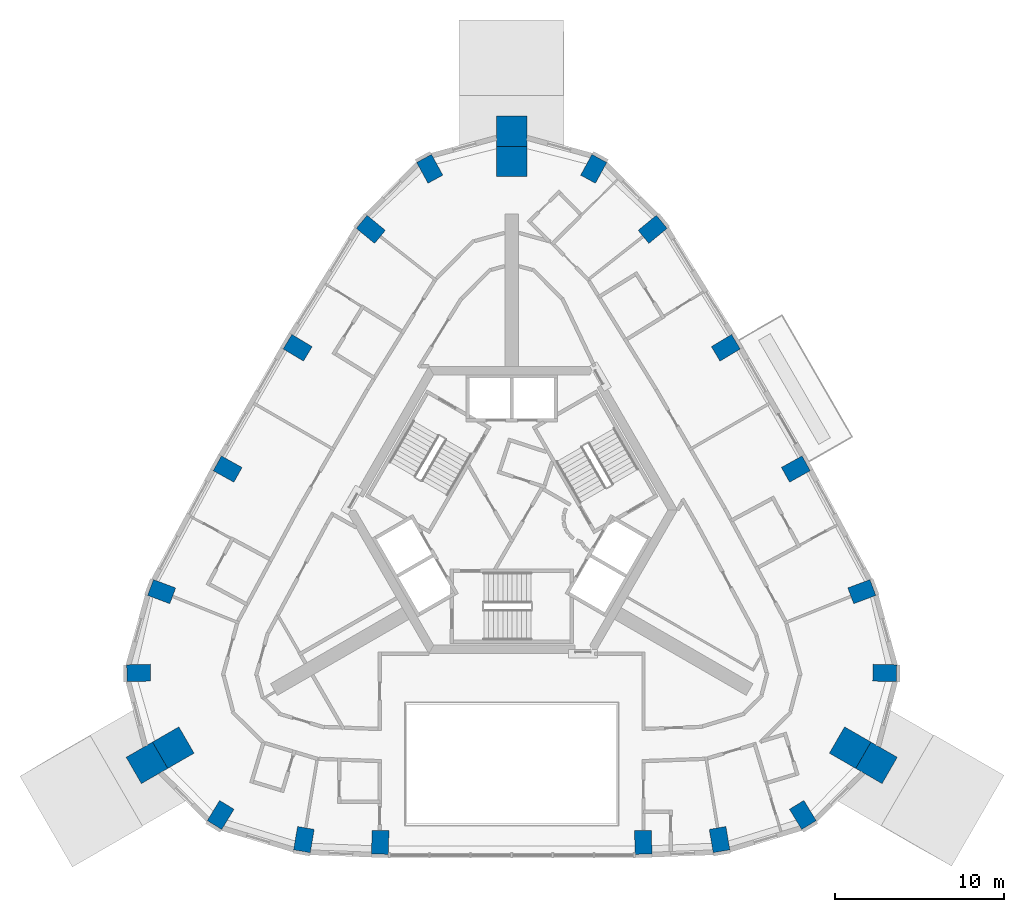
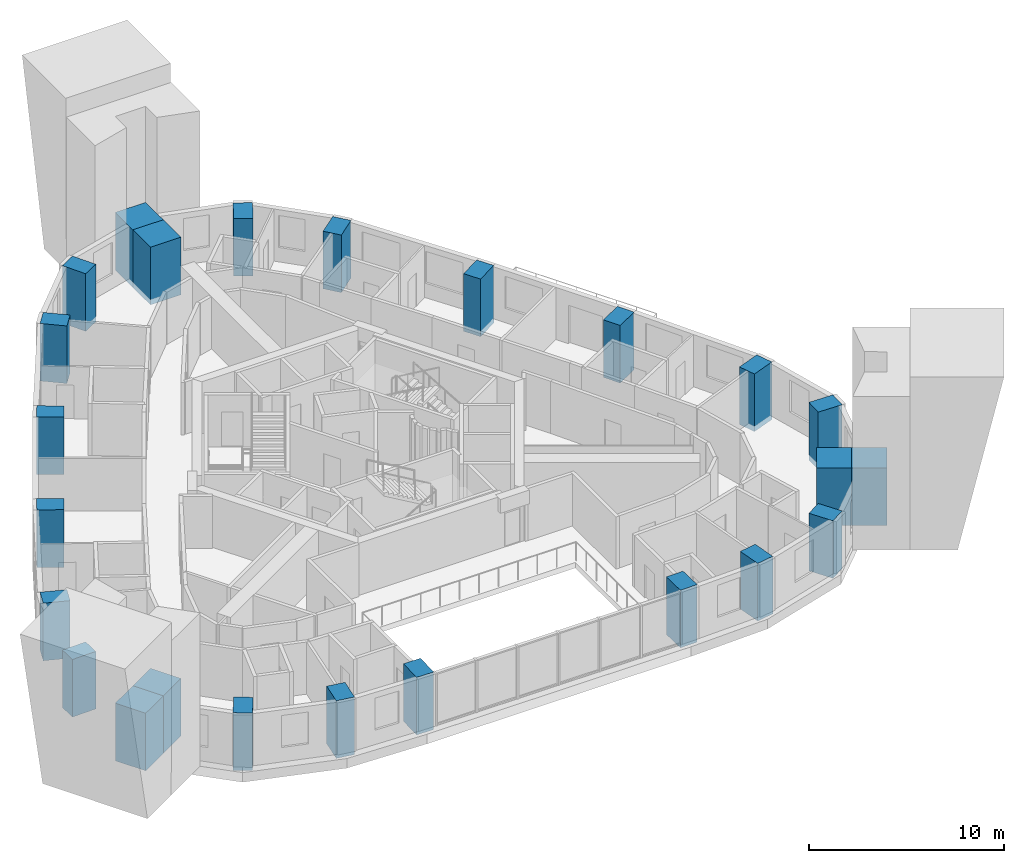
# One storey, part 1 of 11: 24 columns.
"""IFC4 building model written with IfcOpenShell, lengths in metres."""

from ifc_helpers import new_model, si_unit, direction, frame, origin, origin_2d, place, context, subcontext, project, spatial, rectangle, extrude, material, material_profile, profile_set, type_object, element, save


model = new_model("IFC4")

# Units and contexts
model_context = context("Model", 3, precision=1e-05, world=origin(), true_north=direction((0.0, 1.0)))
body_context = subcontext(model_context, "Body", "Model", "MODEL_VIEW")
ifc_project = project(units=[si_unit("LENGTHUNIT", "METRE"), si_unit("AREAUNIT", "SQUARE_METRE"), si_unit("VOLUMEUNIT", "CUBIC_METRE"), si_unit("PLANEANGLEUNIT", "RADIAN"), si_unit("MASSUNIT", "GRAM", prefix="KILO")], contexts=[model_context])

# Site, building, storey
site_placement = place(None, origin())
site = spatial("IfcSite", under=ifc_project, at=site_placement, CompositionType="ELEMENT")
building_placement = place(site_placement, origin())
building = spatial("IfcBuilding", under=site, at=building_placement, Name="Entoto Arch Interchange Tower", CompositionType="ELEMENT")
storey_placement = place(building_placement, frame((0.0, 0.0, 297.199951171875)))
storey = spatial("IfcBuildingStorey", under=building, at=storey_placement, Name="L69", CompositionType="ELEMENT", Elevation=297.199951171875)

# Columns
ifc_material_1 = material(Name="Concrete C40/50", Category="concrete")
ifc_material_profile_1 = material_profile(ifc_material_1, rectangle(XDim=1.0, YDim=1.39990234375, at=origin_2d()))
ifc_profile_set_1 = profile_set([ifc_material_profile_1], Name="Concrete C40/50")
column_type_1 = type_object("IfcColumnType", Name="Column RC 1000x1400 C40/50", PredefinedType="COLUMN", material=ifc_profile_set_1)
for number, where, z_axis, x_axis, name in (
    (1, (-12.297119140625, -17.0029296875, -0.33984375), (0.0, 0.0, 1.0), (-0.985785690827, 0.168007653877, 0.0), "Column S01 L69"),
    (2, (-7.781982421875, -17.1640625, -0.33984375), (0.0, 0.0, 1.0), (-0.999805523312, 0.019720942027, 0.0), "Column S02 L69"),
    (3, (7.781982421875, -17.1640625, -0.33984375), (0.0, 0.0, 1.0), (0.999805523312, 0.019720942027, 0.0), "Column S03 L69"),
    (4, (12.297119140625, -17.0029296875, -0.33984375), (0.0, 0.0, 1.0), (0.985785690827, 0.168007653877, 0.0), "Column S04 L69"),
    (5, (17.222900390625, -15.5439453125, -0.33984375), (0.0, 0.0, 1.0), (0.853650808213, 0.520845752251, 0.0), "Column SE1 L69"),
    (6, (22.072021484375, -7.14306640625, -0.33984375), (0.0, 0.0, 1.0), (0.024257696956, 0.999705738774, 0.0), "Column SE3 L69"),
    (7, (20.714111328125, -2.3330078125, -0.33984375), (0.0, 0.0, 1.0), (-0.3507141184, 0.93648257173, 0.0), "Column NE01 L69"),
    (8, (16.80908203125, 4.9208984375, -0.33984375), (0.0, 0.0, 1.0), (-0.48592357098, 0.874001306158, 0.0), "Column NE02 L69"),
    (9, (12.666015625, 12.096923828125, -0.33984375), (0.0, 0.0, 1.0), (-0.513945548584, 0.857822809845, 0.0), "Column NE03 L69"),
    (10, (8.3369140625, 19.10498046875, -0.33984375), (0.0, 0.0, 1.0), (-0.635647164629, 0.771979716119, 0.0), "Column NE04 L69"),
    (11, (4.85009765625, 22.68701171875, -0.33984375), (0.0, 0.0, 1.0), (-0.877899414566, 0.478845087586, 0.0), "Column N1 L69"),
    (12, (-4.85009765625, 22.68701171875, -0.33984375), (0.0, 0.0, 1.0), (0.877899414566, 0.478845087586, 0.0), "Column N3 L69"),
    (13, (-8.3369140625, 19.10498046875, -0.33984375), (0.0, 0.0, 1.0), (0.635647164629, 0.771979716119, 0.0), "Column NW01 L69"),
    (14, (-12.666015625, 12.096923828125, -0.33984375), (0.0, 0.0, 1.0), (0.513945548584, 0.857822809845, 0.0), "Column NW02 L69"),
    (15, (-16.80908203125, 4.9208984375, -0.33984375), (0.0, 0.0, 1.0), (0.48592357098, 0.874001306158, 0.0), "Column NW03 L69"),
    (16, (-20.714111328125, -2.3330078125, -0.33984375), (0.0, 0.0, 1.0), (0.3507141184, 0.93648257173, 0.0), "Column NW04 L69"),
    (17, (-22.072021484375, -7.14306640625, -0.33984375), (0.0, 0.0, 1.0), (-0.024257696956, 0.999705738774, 0.0), "Column SW1 L69"),
    (18, (-17.222900390625, -15.5439453125, -0.33984375), (0.0, 0.0, 1.0), (-0.853650808213, 0.520845752251, 0.0), "Column SW3 L69"),
):
    element("IfcColumn", number, at=place(storey_placement, frame(where, z_axis=z_axis, x_axis=x_axis)), inside=storey, type_object=column_type_1, Name=name, PredefinedType="COLUMN", context=body_context, shape_type="SweptSolid", body=[
        extrude(rectangle(XDim=1.0, YDim=1.39990234375, at=origin_2d()), origin(), (0.0, 0.0, 1.0), 3.599853515625),
    ])
ifc_material_2 = material(Name="Precast concrete C40/50", Category="concrete")
ifc_material_profile_2 = material_profile(ifc_material_2, rectangle(XDim=1.800048828125, YDim=1.800048828125, at=origin_2d()))
ifc_profile_set_2 = profile_set([ifc_material_profile_2], Name="Precast concrete C40/50")
column_type_2 = type_object("IfcColumnType", Name="Frame post RC 1800x1800 precast C40/50", PredefinedType="COLUMN", material=ifc_profile_set_2)
for number, where, z_axis, x_axis, name in (
    (19, (21.583984375, -12.4609375, -0.33984375), (0.0, 0.0, 1.0), (-0.866025403784, 0.5, 0.0), "Frame post SE L69"),
    (20, (0.0, 24.923095703125, -0.33984375), (0.0, 0.0, 1.0), (0.0, 1.0, 0.0), "Frame post N L69"),
    (21, (-21.583984375, -12.4609375, -0.33984375), (0.0, 0.0, 1.0), (0.866025403784, 0.5, 0.0), "Frame post SW L69"),
):
    element("IfcColumn", number, at=place(storey_placement, frame(where, z_axis=z_axis, x_axis=x_axis)), inside=storey, type_object=column_type_2, Name=name, PredefinedType="COLUMN", context=body_context, shape_type="SweptSolid", body=[
        extrude(rectangle(XDim=1.800048828125, YDim=1.800048828125, at=origin_2d()), origin(), (0.0, 0.0, 1.0), 3.599853515625),
    ])
ifc_material_profile_3 = material_profile(ifc_material_1, rectangle(XDim=1.800048828125, YDim=1.800048828125, at=origin_2d()))
ifc_profile_set_3 = profile_set([ifc_material_profile_3], Name="Concrete C40/50")
column_type_3 = type_object("IfcColumnType", Name="Mega column RC 1800x1800 C40/50", PredefinedType="COLUMN", material=ifc_profile_set_3)
for number, where, z_axis, x_axis, name in (
    (22, (20.02490234375, -11.56103515625, -0.33984375), (0.0, 0.0, 1.0), (-0.866025403784, 0.5, 0.0), "Corner mega column SE2 L69"),
    (23, (0.0, 23.123046875, -0.33984375), (0.0, 0.0, 1.0), (0.0, 1.0, 0.0), "Corner mega column N2 L69"),
    (24, (-20.02490234375, -11.56103515625, -0.33984375), (0.0, 0.0, 1.0), (0.866025403784, 0.5, 0.0), "Corner mega column SW2 L69"),
):
    element("IfcColumn", number, at=place(storey_placement, frame(where, z_axis=z_axis, x_axis=x_axis)), inside=storey, type_object=column_type_3, Name=name, PredefinedType="COLUMN", context=body_context, shape_type="SweptSolid", body=[
        extrude(rectangle(XDim=1.800048828125, YDim=1.800048828125, at=origin_2d()), origin(), (0.0, 0.0, 1.0), 3.599853515625),
    ])

save(model, "model.ifc")
